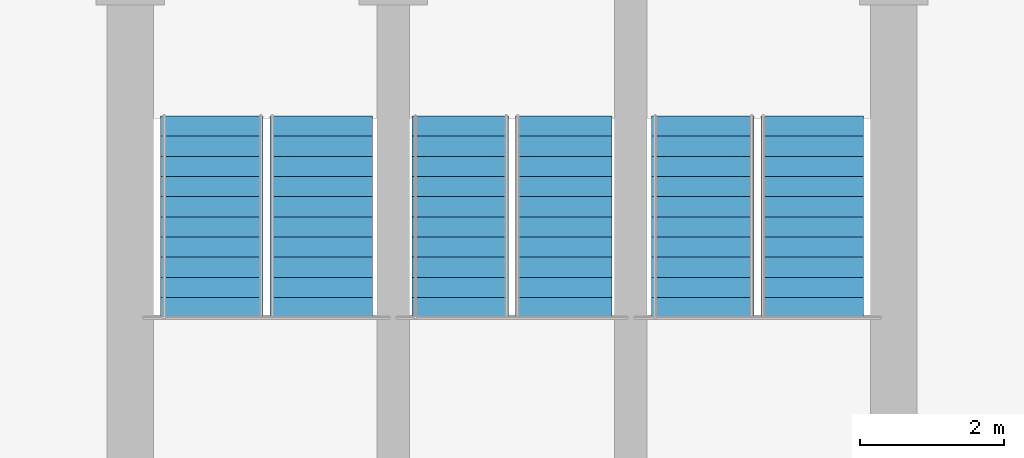
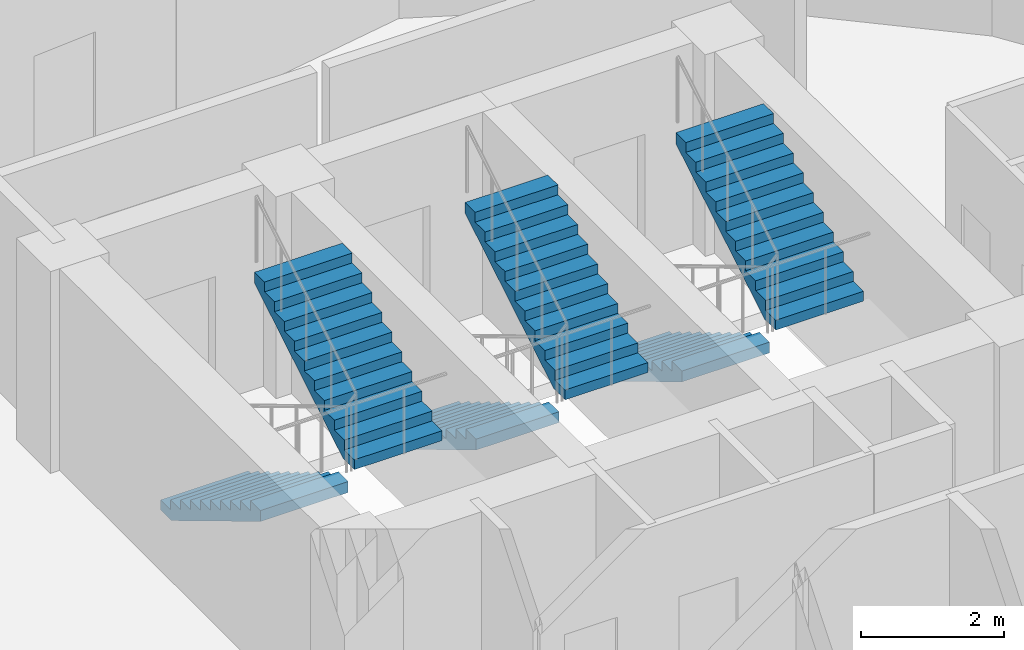
# One storey, part 25 of 26: 6 stair flights, 3 elements without a shape of their own.
"""IFC4 building model written with IfcOpenShell, lengths in metres."""

from ifc_helpers import new_model, si_unit, direction, frame, origin, place, context, subcontext, project, spatial, polyline, outline, extrude, material, type_object, element, aggregate, save


model = new_model("IFC4")

# Units and contexts
model_context = context("Model", 3, precision=1e-05, world=origin(), true_north=direction((0.0, 1.0)))
body_context = subcontext(model_context, "Body", "Model", "MODEL_VIEW")
ifc_project = project(units=[si_unit("LENGTHUNIT", "METRE"), si_unit("AREAUNIT", "SQUARE_METRE"), si_unit("VOLUMEUNIT", "CUBIC_METRE"), si_unit("PLANEANGLEUNIT", "RADIAN"), si_unit("MASSUNIT", "GRAM", prefix="KILO")], contexts=[model_context])

# Site, building, storey
site_placement = place(None, origin())
site = spatial("IfcSite", under=ifc_project, at=site_placement, CompositionType="ELEMENT")
building_placement = place(site_placement, origin())
building = spatial("IfcBuilding", under=site, at=building_placement, Name="Nuhasar Tower", CompositionType="ELEMENT")
storey_placement = place(building_placement, frame((0.0, 0.0, 162.64990234375)))
storey = spatial("IfcBuildingStorey", under=building, at=storey_placement, Name="L39", CompositionType="ELEMENT", Elevation=162.64990234375)

# Stair, stair flights
ifc_material = material(Name="Concrete C45/55", Category="concrete")
stair_type_1 = type_object("IfcStairType", Name="STR-ST-01-2F-22R-1682", PredefinedType="HALF_TURN_STAIR", material=ifc_material)
stair_1_placement = place(storey_placement, origin())
stair_1 = element("IfcStair", 1, at=stair_1_placement, inside=storey, type_object=stair_type_1, Name="L39 Exit Stair ST-01", PredefinedType="HALF_TURN_STAIR")
stair_flight_type_1 = type_object("IfcStairFlightType", Name="SFL-ST-01-11R-1682", PredefinedType="STRAIGHT", material=ifc_material)
stair_flight_1_placement = place(storey_placement, frame((34.830078125, 35.284912109375, 0.0), z_axis=(0.0, 0.0, 1.0), x_axis=(0.0, -1.0, 0.0)))
stair_flight_1 = element("IfcStairFlight", 2, at=stair_flight_1_placement, type_object=stair_flight_type_1, Name="ST-01 flight 1", NumberOfRisers=11, NumberOfTreads=10, PredefinedType="STRAIGHT", RiserHeight=0.168182, TreadLength=0.28, context=body_context, shape_type="SweptSolid", body=[
    extrude(outline(polyline([(0.0, 0.0), (0.0, 0.168212890625), (0.280029296875, 0.168212890625), (0.280029296875, 0.33642578125), (0.56005859375, 0.33642578125), (0.56005859375, 0.504638671875), (0.840087890625, 0.504638671875), (0.840087890625, 0.672607421875), (1.1201171875, 0.672607421875), (1.1201171875, 0.8408203125), (1.39990234375, 0.8408203125), (1.39990234375, 1.009033203125), (1.679931640625, 1.009033203125), (1.679931640625, 1.17724609375), (1.9599609375, 1.17724609375), (1.9599609375, 1.345458984375), (2.239990234375, 1.345458984375), (2.239990234375, 1.513671875), (2.52001953125, 1.513671875), (2.52001953125, 1.681884765625), (2.800048828125, 1.681884765625), (2.800048828125, 1.85009765625), (2.800048828125, 1.495361328125), (0.310546875, 0.0), (0.0, 0.0)])), frame((0.0, 0.7099609375, 0.0), z_axis=(0.0, -1.0, 0.0), x_axis=(1.0, 0.0, 0.0)), (0.0, 0.0, 1.0), 1.419921875),
])
stair_flight_2_placement = place(storey_placement, frame((36.35009765625, 32.485107421875, 1.85009765625), z_axis=(0.0, 0.0, 1.0), x_axis=(0.0, 1.0, 0.0)))
stair_flight_2 = element("IfcStairFlight", 3, at=stair_flight_2_placement, type_object=stair_flight_type_1, Name="ST-01 flight 2", NumberOfRisers=11, NumberOfTreads=10, PredefinedType="STRAIGHT", RiserHeight=0.168182, TreadLength=0.28, context=body_context, shape_type="SweptSolid", body=[
    extrude(outline(polyline([(0.0, 0.0), (0.0, 0.168212890625), (0.280029296875, 0.168212890625), (0.280029296875, 0.33642578125), (0.56005859375, 0.33642578125), (0.56005859375, 0.504638671875), (0.840087890625, 0.504638671875), (0.840087890625, 0.672607421875), (1.1201171875, 0.672607421875), (1.1201171875, 0.8408203125), (1.39990234375, 0.8408203125), (1.39990234375, 1.009033203125), (1.679931640625, 1.009033203125), (1.679931640625, 1.17724609375), (1.9599609375, 1.17724609375), (1.9599609375, 1.345458984375), (2.239990234375, 1.345458984375), (2.239990234375, 1.513671875), (2.52001953125, 1.513671875), (2.52001953125, 1.681884765625), (2.800048828125, 1.681884765625), (2.800048828125, 1.85009765625), (2.800048828125, 1.495361328125), (0.310546875, 0.0), (0.0, 0.0)])), frame((0.0, 0.7099609375, 0.0), z_axis=(0.0, -1.0, 0.0), x_axis=(1.0, 0.0, 0.0)), (0.0, 0.0, 1.0), 1.419921875),
])
aggregate(stair_1, [stair_flight_1, stair_flight_2])

stair_type_2 = type_object("IfcStairType", Name="STR-ST-02-2F-22R-1682", PredefinedType="HALF_TURN_STAIR", material=ifc_material)
stair_2_placement = place(storey_placement, origin())
stair_2 = element("IfcStair", 4, at=stair_2_placement, inside=storey, type_object=stair_type_2, Name="L39 Exit Stair ST-02", PredefinedType="HALF_TURN_STAIR")
stair_flight_type_2 = type_object("IfcStairFlightType", Name="SFL-ST-02-11R-1682", PredefinedType="STRAIGHT", material=ifc_material)
stair_flight_3_placement = place(storey_placement, frame((41.64990234375, 35.284912109375, 0.0), z_axis=(0.0, 0.0, 1.0), x_axis=(0.0, -1.0, 0.0)))
stair_flight_3 = element("IfcStairFlight", 5, at=stair_flight_3_placement, type_object=stair_flight_type_2, Name="ST-02 flight 1", NumberOfRisers=11, NumberOfTreads=10, PredefinedType="STRAIGHT", RiserHeight=0.168182, TreadLength=0.28, context=body_context, shape_type="SweptSolid", body=[
    extrude(outline(polyline([(0.0, 0.0), (0.0, 0.168212890625), (0.280029296875, 0.168212890625), (0.280029296875, 0.33642578125), (0.56005859375, 0.33642578125), (0.56005859375, 0.504638671875), (0.840087890625, 0.504638671875), (0.840087890625, 0.672607421875), (1.1201171875, 0.672607421875), (1.1201171875, 0.8408203125), (1.39990234375, 0.8408203125), (1.39990234375, 1.009033203125), (1.679931640625, 1.009033203125), (1.679931640625, 1.17724609375), (1.9599609375, 1.17724609375), (1.9599609375, 1.345458984375), (2.239990234375, 1.345458984375), (2.239990234375, 1.513671875), (2.52001953125, 1.513671875), (2.52001953125, 1.681884765625), (2.800048828125, 1.681884765625), (2.800048828125, 1.85009765625), (2.800048828125, 1.495361328125), (0.310546875, 0.0), (0.0, 0.0)])), frame((0.0, 0.7099609375, 0.0), z_axis=(0.0, -1.0, 0.0), x_axis=(1.0, 0.0, 0.0)), (0.0, 0.0, 1.0), 1.419921875),
])
stair_flight_4_placement = place(storey_placement, frame((43.169921875, 32.485107421875, 1.85009765625), z_axis=(0.0, 0.0, 1.0), x_axis=(0.0, 1.0, 0.0)))
stair_flight_4 = element("IfcStairFlight", 6, at=stair_flight_4_placement, type_object=stair_flight_type_2, Name="ST-02 flight 2", NumberOfRisers=11, NumberOfTreads=10, PredefinedType="STRAIGHT", RiserHeight=0.168182, TreadLength=0.28, context=body_context, shape_type="SweptSolid", body=[
    extrude(outline(polyline([(0.0, 0.0), (0.0, 0.168212890625), (0.280029296875, 0.168212890625), (0.280029296875, 0.33642578125), (0.56005859375, 0.33642578125), (0.56005859375, 0.504638671875), (0.840087890625, 0.504638671875), (0.840087890625, 0.672607421875), (1.1201171875, 0.672607421875), (1.1201171875, 0.8408203125), (1.39990234375, 0.8408203125), (1.39990234375, 1.009033203125), (1.679931640625, 1.009033203125), (1.679931640625, 1.17724609375), (1.9599609375, 1.17724609375), (1.9599609375, 1.345458984375), (2.239990234375, 1.345458984375), (2.239990234375, 1.513671875), (2.52001953125, 1.513671875), (2.52001953125, 1.681884765625), (2.800048828125, 1.681884765625), (2.800048828125, 1.85009765625), (2.800048828125, 1.495361328125), (0.310546875, 0.0), (0.0, 0.0)])), frame((0.0, 0.7099609375, 0.0), z_axis=(0.0, -1.0, 0.0), x_axis=(1.0, 0.0, 0.0)), (0.0, 0.0, 1.0), 1.419921875),
])
aggregate(stair_2, [stair_flight_3, stair_flight_4])

stair_type_3 = type_object("IfcStairType", Name="STR-ST-03-2F-22R-1682", PredefinedType="HALF_TURN_STAIR", material=ifc_material)
stair_3_placement = place(storey_placement, origin())
stair_3 = element("IfcStair", 7, at=stair_3_placement, inside=storey, type_object=stair_type_3, Name="L39 Exit Stair ST-03", PredefinedType="HALF_TURN_STAIR")
stair_flight_type_3 = type_object("IfcStairFlightType", Name="SFL-ST-03-11R-1682", PredefinedType="STRAIGHT", material=ifc_material)
stair_flight_5_placement = place(storey_placement, frame((38.280029296875, 35.284912109375, 0.0), z_axis=(0.0, 0.0, 1.0), x_axis=(0.0, -1.0, 0.0)))
stair_flight_5 = element("IfcStairFlight", 8, at=stair_flight_5_placement, type_object=stair_flight_type_3, Name="ST-03 flight 1", NumberOfRisers=11, NumberOfTreads=10, PredefinedType="STRAIGHT", RiserHeight=0.168182, TreadLength=0.28, context=body_context, shape_type="SweptSolid", body=[
    extrude(outline(polyline([(0.0, 0.0), (0.0, 0.168212890625), (0.280029296875, 0.168212890625), (0.280029296875, 0.33642578125), (0.56005859375, 0.33642578125), (0.56005859375, 0.504638671875), (0.840087890625, 0.504638671875), (0.840087890625, 0.672607421875), (1.1201171875, 0.672607421875), (1.1201171875, 0.8408203125), (1.39990234375, 0.8408203125), (1.39990234375, 1.009033203125), (1.679931640625, 1.009033203125), (1.679931640625, 1.17724609375), (1.9599609375, 1.17724609375), (1.9599609375, 1.345458984375), (2.239990234375, 1.345458984375), (2.239990234375, 1.513671875), (2.52001953125, 1.513671875), (2.52001953125, 1.681884765625), (2.800048828125, 1.681884765625), (2.800048828125, 1.85009765625), (2.800048828125, 1.495361328125), (0.310546875, 0.0), (0.0, 0.0)])), frame((0.0, 0.669921875, 0.0), z_axis=(0.0, -1.0, 0.0), x_axis=(1.0, 0.0, 0.0)), (0.0, 0.0, 1.0), 1.340087890625),
])
stair_flight_6_placement = place(storey_placement, frame((39.719970703125, 32.485107421875, 1.85009765625), z_axis=(0.0, 0.0, 1.0), x_axis=(0.0, 1.0, 0.0)))
stair_flight_6 = element("IfcStairFlight", 9, at=stair_flight_6_placement, type_object=stair_flight_type_3, Name="ST-03 flight 2", NumberOfRisers=11, NumberOfTreads=10, PredefinedType="STRAIGHT", RiserHeight=0.168182, TreadLength=0.28, context=body_context, shape_type="SweptSolid", body=[
    extrude(outline(polyline([(0.0, 0.0), (0.0, 0.168212890625), (0.280029296875, 0.168212890625), (0.280029296875, 0.33642578125), (0.56005859375, 0.33642578125), (0.56005859375, 0.504638671875), (0.840087890625, 0.504638671875), (0.840087890625, 0.672607421875), (1.1201171875, 0.672607421875), (1.1201171875, 0.8408203125), (1.39990234375, 0.8408203125), (1.39990234375, 1.009033203125), (1.679931640625, 1.009033203125), (1.679931640625, 1.17724609375), (1.9599609375, 1.17724609375), (1.9599609375, 1.345458984375), (2.239990234375, 1.345458984375), (2.239990234375, 1.513671875), (2.52001953125, 1.513671875), (2.52001953125, 1.681884765625), (2.800048828125, 1.681884765625), (2.800048828125, 1.85009765625), (2.800048828125, 1.495361328125), (0.310546875, 0.0), (0.0, 0.0)])), frame((0.0, 0.669921875, 0.0), z_axis=(0.0, -1.0, 0.0), x_axis=(1.0, 0.0, 0.0)), (0.0, 0.0, 1.0), 1.340087890625),
])
aggregate(stair_3, [stair_flight_5, stair_flight_6])

save(model, "model.ifc")
